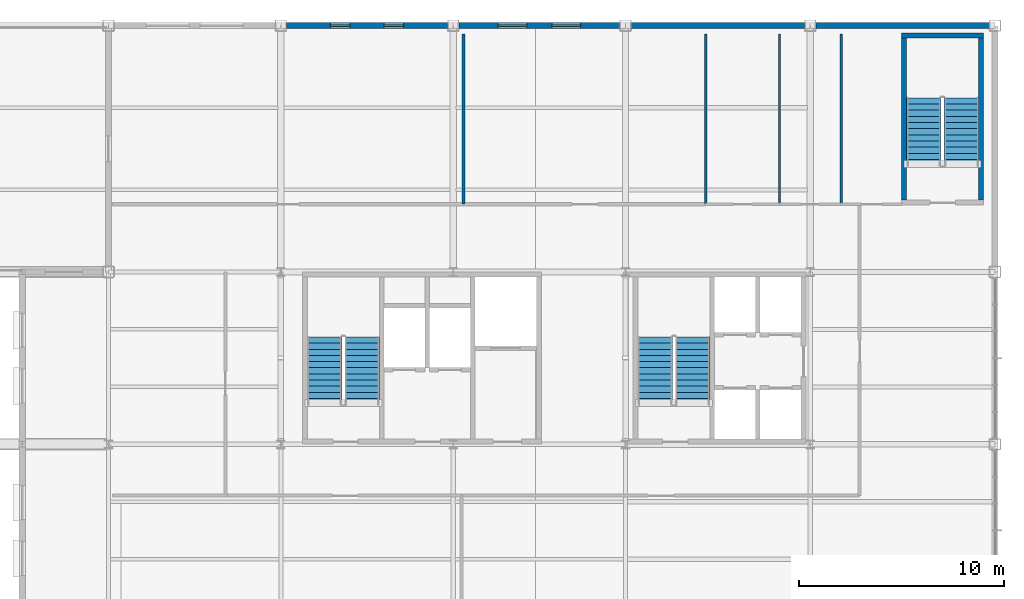
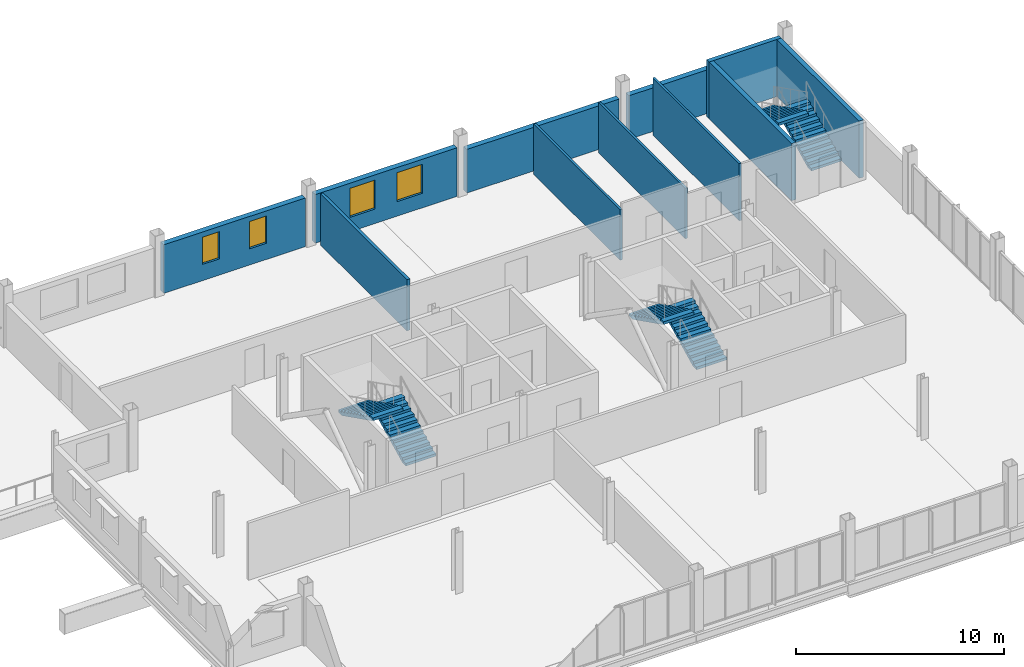
# One storey, part 15 of 18: 11 walls, 6 stair flights, 4 windows, 4 openings, 3 elements without a shape of their own.
"""IFC4 building model written with IfcOpenShell, lengths in metres."""

from ifc_helpers import new_model, si_unit, direction, frame, frame_2d, origin, place, context, subcontext, project, spatial, polyline, rectangle, outline, extrude, material, layer, layer_set, type_object, element, fill, aggregate, save


model = new_model("IFC4")

# Units and contexts
model_context = context("Model", 3, precision=1e-05, world=origin(), true_north=direction((0.0, 1.0)))
body_context = subcontext(model_context, "Body", "Model", "MODEL_VIEW")
ifc_project = project(units=[si_unit("LENGTHUNIT", "METRE"), si_unit("AREAUNIT", "SQUARE_METRE"), si_unit("VOLUMEUNIT", "CUBIC_METRE"), si_unit("PLANEANGLEUNIT", "RADIAN"), si_unit("MASSUNIT", "GRAM", prefix="KILO")], contexts=[model_context])

# Site, building, storey
site_placement = place(None, origin())
site = spatial("IfcSite", under=ifc_project, at=site_placement, CompositionType="ELEMENT")
building_placement = place(site_placement, origin())
building = spatial("IfcBuilding", under=site, at=building_placement, Name="Yukiwa Park Conservatory and Herbarium", CompositionType="ELEMENT")
storey_placement = place(building_placement, frame((0.0, 0.0, 21.0)))
storey = spatial("IfcBuildingStorey", under=building, at=storey_placement, Name="L05", CompositionType="ELEMENT", Elevation=21.0)

# Walls
ifc_material_1 = material(Name="Concrete C50", Category="concrete")
ifc_layer_1 = layer(ifc_material_1, 0.239990234375)
ifc_layer_set_1 = layer_set([ifc_layer_1], Name="Concrete C50")
wall_type_1 = type_object("IfcWallType", Name="WL-CORE-RC240", PredefinedType="SHEAR", material=ifc_layer_set_1)
wall_1_placement = place(storey_placement, frame((163.449951171875, 114.719970703125, 0.0), z_axis=(0.0, 0.0, 1.0), x_axis=(1.0, 0.0, 0.0)))
element("IfcWall", 1, at=wall_1_placement, inside=storey, type_object=wall_type_1, Name="L05 core shear wall 410", PredefinedType="SHEAR", context=body_context, shape_type="SweptSolid", body=[
    extrude(rectangle(XDim=3.989990234375, YDim=0.239990234375, at=frame_2d((1.9951171875, 0.0))), origin(), (0.0, 0.0, 1.0), 3.35009765625),
])
for number, where, z_axis, x_axis, name in (
    (2, (163.570068359375, 106.699951171875, 0.0), (0.0, 0.0, 1.0), (0.0, 1.0, 0.0), "L05 core shear wall 411"),
    (3, (167.320068359375, 106.699951171875, 0.0), (0.0, 0.0, 1.0), (0.0, 1.0, 0.0), "L05 core shear wall 412"),
):
    element("IfcWall", number, at=place(storey_placement, frame(where, z_axis=z_axis, x_axis=x_axis)), inside=storey, type_object=wall_type_1, Name=name, PredefinedType="SHEAR", context=body_context, shape_type="SweptSolid", body=[
        extrude(rectangle(XDim=7.900146484375, YDim=0.239990234375, at=frame_2d((3.9501953125, 0.0))), origin(), (0.0, 0.0, 1.0), 3.35009765625),
    ])
ifc_material_2 = material(Name="Pale Granite Cladding", Category="masonry")
ifc_layer_2 = layer(ifc_material_2, 0.300048828125)
ifc_layer_set_2 = layer_set([ifc_layer_2], Name="Pale Granite Cladding")
wall_type_2 = type_object("IfcWallType", Name="WL-EXT-GRAN-300", PredefinedType="SOLIDWALL", material=ifc_layer_set_2)
for number, where, z_axis, x_axis, name in (
    (4, (167.72509765625, 115.199951171875, 0.0), (0.0, 0.0, 1.0), (-1.0, 0.0, 0.0), "L05 exterior envelope wall 280"),
    (5, (158.72509765625, 115.199951171875, 0.0), (0.0, 0.0, 1.0), (-1.0, 0.0, 0.0), "L05 exterior envelope wall 281"),
):
    element("IfcWall", number, at=place(storey_placement, frame(where, z_axis=z_axis, x_axis=x_axis)), inside=storey, type_object=wall_type_2, Name=name, PredefinedType="SOLIDWALL", context=body_context, shape_type="SweptSolid", body=[
        extrude(rectangle(XDim=8.4501953125, YDim=0.300048828125, at=frame_2d((4.22509765625, 0.0))), origin(), (0.0, 0.0, 1.0), 2.55810546875),
    ])

# Wall, openings, windows
wall_2_placement = place(storey_placement, frame((149.72509765625, 115.199951171875, 0.0), z_axis=(0.0, 0.0, 1.0), x_axis=(-1.0, 0.0, 0.0)))
wall_2 = element("IfcWall", 6, at=wall_2_placement, inside=storey, type_object=wall_type_2, Name="L05 exterior envelope wall 282", PredefinedType="SOLIDWALL", context=body_context, shape_type="SweptSolid", body=[
    extrude(rectangle(XDim=7.85009765625, YDim=0.300048828125, at=frame_2d((3.925048828125, 0.0))), origin(), (0.0, 0.0, 1.0), 2.85009765625),
])
opening_1_placement = place(wall_2_placement, frame((1.9169921875, 0.0, 0.85009765625)))
opening_1 = element("IfcOpeningElement", 7, at=opening_1_placement, cuts=wall_2, Name="Opening W-23", PredefinedType="OPENING", context=body_context, shape_type="SweptSolid", body=[
    extrude(rectangle(XDim=1.39990234375, YDim=1.699951171875, at=frame_2d((0.699951171875, 0.85009765625))), frame((0.0, 0.16015625, 0.0), z_axis=(0.0, -1.0, 0.0), x_axis=(1.0, 0.0, 0.0)), (0.0, 0.0, 1.0), 0.320068359375),
])
opening_2_placement = place(wall_2_placement, frame((4.532958984375, 0.0, 0.85009765625)))
opening_2 = element("IfcOpeningElement", 8, at=opening_2_placement, cuts=wall_2, Name="Opening W-23", PredefinedType="OPENING", context=body_context, shape_type="SweptSolid", body=[
    extrude(rectangle(XDim=1.39990234375, YDim=1.699951171875, at=frame_2d((0.699951171875, 0.85009765625))), frame((0.0, 0.16015625, 0.0), z_axis=(0.0, -1.0, 0.0), x_axis=(1.0, 0.0, 0.0)), (0.0, 0.0, 1.0), 0.320068359375),
])
ifc_material_3 = material(Name="Triple Low-E Insulated Glass", Category="glass")
window_type_1 = type_object("IfcWindowType", Name="WN-TW-1400X2050", PartitioningType="SINGLE_PANEL", PredefinedType="WINDOW", material=ifc_material_3)
window_1_placement = place(opening_1_placement, origin())
window_1 = element("IfcWindow", 9, at=window_1_placement, inside=storey, type_object=window_type_1, Name="L05 deep-reveal triple-glazed window 222", OverallHeight=1.699951171875, OverallWidth=1.39990234375, PartitioningType="SINGLE_PANEL", PredefinedType="WINDOW", context=body_context, shape_type="SweptSolid", body=[
    extrude(rectangle(XDim=1.39990234375, YDim=1.699951171875, at=frame_2d((0.699951171875, 0.85009765625))), frame((0.0, 0.030029296875, 0.0), z_axis=(0.0, -1.0, 0.0), x_axis=(1.0, 0.0, 0.0)), (0.0, 0.0, 1.0), 0.06005859375),
])
fill(opening_1, window_1)
window_2_placement = place(opening_2_placement, origin())
window_2 = element("IfcWindow", 10, at=window_2_placement, inside=storey, type_object=window_type_1, Name="L05 deep-reveal triple-glazed window 223", OverallHeight=1.699951171875, OverallWidth=1.39990234375, PartitioningType="SINGLE_PANEL", PredefinedType="WINDOW", context=body_context, shape_type="SweptSolid", body=[
    extrude(rectangle(XDim=1.39990234375, YDim=1.699951171875, at=frame_2d((0.699951171875, 0.85009765625))), frame((0.0, 0.030029296875, 0.0), z_axis=(0.0, -1.0, 0.0), x_axis=(1.0, 0.0, 0.0)), (0.0, 0.0, 1.0), 0.06005859375),
])
fill(opening_2, window_2)

wall_3_placement = place(storey_placement, frame((141.324951171875, 115.199951171875, 0.0), z_axis=(0.0, 0.0, 1.0), x_axis=(-1.0, 0.0, 0.0)))
wall_3 = element("IfcWall", 11, at=wall_3_placement, inside=storey, type_object=wall_type_2, Name="L05 exterior envelope wall 283", PredefinedType="SOLIDWALL", context=body_context, shape_type="SweptSolid", body=[
    extrude(rectangle(XDim=7.849853515625, YDim=0.300048828125, at=frame_2d((3.9248046875, 0.0))), origin(), (0.0, 0.0, 1.0), 2.85009765625),
])
opening_3_placement = place(wall_3_placement, frame((2.14208984375, 0.0, 0.949951171875)))
opening_3 = element("IfcOpeningElement", 12, at=opening_3_placement, cuts=wall_3, Name="Opening W-21", PredefinedType="OPENING", context=body_context, shape_type="SweptSolid", body=[
    extrude(rectangle(XDim=0.949951171875, YDim=1.60009765625, at=frame_2d((0.47509765625, 0.800048828125))), frame((0.0, 0.16015625, 0.0), z_axis=(0.0, -1.0, 0.0), x_axis=(1.0, 0.0, 0.0)), (0.0, 0.0, 1.0), 0.320068359375),
])
opening_4_placement = place(wall_3_placement, frame((4.758056640625, 0.0, 0.949951171875)))
opening_4 = element("IfcOpeningElement", 13, at=opening_4_placement, cuts=wall_3, Name="Opening W-21", PredefinedType="OPENING", context=body_context, shape_type="SweptSolid", body=[
    extrude(rectangle(XDim=0.949951171875, YDim=1.60009765625, at=frame_2d((0.47509765625, 0.800048828125))), frame((0.0, 0.16015625, 0.0), z_axis=(0.0, -1.0, 0.0), x_axis=(1.0, 0.0, 0.0)), (0.0, 0.0, 1.0), 0.320068359375),
])
ifc_material_4 = material(Name="Triple Low-E Insulated Glass", Category="glass")
window_type_2 = type_object("IfcWindowType", Name="WN-TW-0950X1750", PartitioningType="SINGLE_PANEL", PredefinedType="WINDOW", material=ifc_material_4)
window_3_placement = place(opening_3_placement, origin())
window_3 = element("IfcWindow", 14, at=window_3_placement, inside=storey, type_object=window_type_2, Name="L05 deep-reveal triple-glazed window 224", OverallHeight=1.60009765625, OverallWidth=0.949951171875, PartitioningType="SINGLE_PANEL", PredefinedType="WINDOW", context=body_context, shape_type="SweptSolid", body=[
    extrude(rectangle(XDim=0.949951171875, YDim=1.60009765625, at=frame_2d((0.47509765625, 0.800048828125))), frame((0.0, 0.030029296875, 0.0), z_axis=(0.0, -1.0, 0.0), x_axis=(1.0, 0.0, 0.0)), (0.0, 0.0, 1.0), 0.06005859375),
])
fill(opening_3, window_3)
window_4_placement = place(opening_4_placement, origin())
window_4 = element("IfcWindow", 15, at=window_4_placement, inside=storey, type_object=window_type_2, Name="L05 deep-reveal triple-glazed window 225", OverallHeight=1.60009765625, OverallWidth=0.949951171875, PartitioningType="SINGLE_PANEL", PredefinedType="WINDOW", context=body_context, shape_type="SweptSolid", body=[
    extrude(rectangle(XDim=0.949951171875, YDim=1.60009765625, at=frame_2d((0.47509765625, 0.800048828125))), frame((0.0, 0.030029296875, 0.0), z_axis=(0.0, -1.0, 0.0), x_axis=(1.0, 0.0, 0.0)), (0.0, 0.0, 1.0), 0.06005859375),
])
fill(opening_4, window_4)

# Walls
ifc_material_5 = material(Name="Gypsum Board Partition", Category="gypsum")
ifc_layer_3 = layer(ifc_material_5, 0.159912109375)
ifc_layer_set_3 = layer_set([ifc_layer_3], Name="Gypsum Board Partition")
wall_type_3 = type_object("IfcWallType", Name="WL-PART-GYP-160", PredefinedType="PARTITIONING", material=ifc_layer_set_3)
wall_4_placement = place(storey_placement, frame((142.10009765625, 106.5, 0.0), z_axis=(0.0, 0.0, 1.0), x_axis=(0.0, 1.0, 0.0)))
element("IfcWall", 16, at=wall_4_placement, inside=storey, type_object=wall_type_3, Name="L05 interior partition wall 427", PredefinedType="PARTITIONING", context=body_context, shape_type="SweptSolid", body=[
    extrude(rectangle(XDim=8.300048828125, YDim=0.159912109375, at=frame_2d((4.14990234375, 0.0))), origin(), (0.0, 0.0, 1.0), 3.00390625),
])
ifc_material_6 = material(Name="Gypsum Board Partition", Category="gypsum")
ifc_layer_4 = layer(ifc_material_6, 0.1201171875)
ifc_layer_set_4 = layer_set([ifc_layer_4], Name="Gypsum Board Partition")
wall_type_4 = type_object("IfcWallType", Name="WL-PART-WET-150", PredefinedType="PARTITIONING", material=ifc_layer_set_4)
for number, where, z_axis, x_axis, name in (
    (17, (153.89990234375, 106.5, 0.0), (0.0, 0.0, 1.0), (0.0, 1.0, 0.0), "L05 interior partition wall 416"),
    (18, (157.5, 106.5, 0.0), (0.0, 0.0, 1.0), (0.0, 1.0, 0.0), "L05 interior partition wall 417"),
):
    element("IfcWall", number, at=place(storey_placement, frame(where, z_axis=z_axis, x_axis=x_axis)), inside=storey, type_object=wall_type_4, Name=name, PredefinedType="PARTITIONING", context=body_context, shape_type="SweptSolid", body=[
        extrude(rectangle(XDim=8.300048828125, YDim=0.1201171875, at=frame_2d((4.14990234375, 0.0))), origin(), (0.0, 0.0, 1.0), 2.9541015625),
    ])
wall_5_placement = place(storey_placement, frame((160.5, 106.5, 0.0), z_axis=(0.0, 0.0, 1.0), x_axis=(0.0, 1.0, 0.0)))
element("IfcWall", 19, at=wall_5_placement, inside=storey, type_object=wall_type_4, Name="L05 interior partition wall 418", PredefinedType="PARTITIONING", context=body_context, shape_type="SweptSolid", body=[
    extrude(rectangle(XDim=8.300048828125, YDim=0.1201171875, at=frame_2d((4.14990234375, 0.0))), origin(), (0.0, 0.0, 1.0), 3.35009765625),
])

# Stair, stair flights
ifc_material_7 = material(Name="Concrete C40", Category="concrete")
stair_type_1 = type_object("IfcStairType", Name="ST-DOGLEG-ST-T1", PredefinedType="HALF_TURN_STAIR", material=ifc_material_7)
stair_1_placement = place(storey_placement, origin())
stair_1 = element("IfcStair", 20, at=stair_1_placement, inside=storey, type_object=stair_type_1, Name="L05 Protected Smoke-Proof Stair ST-T1", PredefinedType="HALF_TURN_STAIR")
ifc_material_8 = material(Name="Concrete C40", Category="concrete")
stair_flight_type = type_object("IfcStairFlightType", Name="STF-RC-1680", PredefinedType="STRAIGHT", material=ifc_material_8)
stair_flight_1_placement = place(storey_placement, frame((137.159912109375, 96.72998046875, 0.0), z_axis=(0.0, 0.0, 1.0), x_axis=(0.0, 1.0, 0.0)))
stair_flight_1 = element("IfcStairFlight", 21, at=stair_flight_1_placement, type_object=stair_flight_type, Name="ST-T1 flight 1", NumberOfRisers=12, NumberOfTreads=11, PredefinedType="STRAIGHT", RiserHeight=0.15, TreadLength=0.3, context=body_context, shape_type="SweptSolid", body=[
    extrude(outline(polyline([(0.0, 0.0), (0.0, 0.14990234375), (0.300048828125, 0.14990234375), (0.300048828125, 0.300048828125), (0.60009765625, 0.300048828125), (0.60009765625, 0.449951171875), (0.89990234375, 0.449951171875), (0.89990234375, 0.60009765625), (1.199951171875, 0.60009765625), (1.199951171875, 0.75), (1.5, 0.75), (1.5, 0.89990234375), (1.800048828125, 0.89990234375), (1.800048828125, 1.050048828125), (2.10009765625, 1.050048828125), (2.10009765625, 1.199951171875), (2.39990234375, 1.199951171875), (2.39990234375, 1.35009765625), (2.699951171875, 1.35009765625), (2.699951171875, 1.5), (3.0, 1.5), (3.0, 1.64990234375), (3.300048828125, 1.64990234375), (3.300048828125, 1.800048828125), (3.300048828125, 1.482421875), (0.335205078125, 0.0), (0.0, 0.0)])), frame((0.0, 0.83984375, 0.0), z_axis=(0.0, -1.0, 0.0), x_axis=(1.0, 0.0, 0.0)), (0.0, 0.0, 1.0), 1.679931640625),
])
stair_flight_2_placement = place(storey_placement, frame((135.330078125, 100.030029296875, 1.800048828125), z_axis=(0.0, 0.0, 1.0), x_axis=(0.0, -1.0, 0.0)))
stair_flight_2 = element("IfcStairFlight", 22, at=stair_flight_2_placement, type_object=stair_flight_type, Name="ST-T1 flight 2", NumberOfRisers=12, NumberOfTreads=11, PredefinedType="STRAIGHT", RiserHeight=0.15, TreadLength=0.3, context=body_context, shape_type="SweptSolid", body=[
    extrude(outline(polyline([(0.0, 0.0), (0.0, 0.14990234375), (0.300048828125, 0.14990234375), (0.300048828125, 0.300048828125), (0.60009765625, 0.300048828125), (0.60009765625, 0.449951171875), (0.89990234375, 0.449951171875), (0.89990234375, 0.60009765625), (1.199951171875, 0.60009765625), (1.199951171875, 0.75), (1.5, 0.75), (1.5, 0.89990234375), (1.800048828125, 0.89990234375), (1.800048828125, 1.050048828125), (2.10009765625, 1.050048828125), (2.10009765625, 1.199951171875), (2.39990234375, 1.199951171875), (2.39990234375, 1.35009765625), (2.699951171875, 1.35009765625), (2.699951171875, 1.5), (3.0, 1.5), (3.0, 1.64990234375), (3.300048828125, 1.64990234375), (3.300048828125, 1.800048828125), (3.300048828125, 1.482421875), (0.335205078125, 0.0), (0.0, 0.0)])), frame((0.0, 0.83984375, 0.0), z_axis=(0.0, -1.0, 0.0), x_axis=(1.0, 0.0, 0.0)), (0.0, 0.0, 1.0), 1.679931640625),
])
aggregate(stair_1, [stair_flight_1, stair_flight_2])

ifc_material_9 = material(Name="Concrete C40", Category="concrete")
stair_type_2 = type_object("IfcStairType", Name="ST-DOGLEG-ST-T2", PredefinedType="HALF_TURN_STAIR", material=ifc_material_9)
stair_2_placement = place(storey_placement, origin())
stair_2 = element("IfcStair", 23, at=stair_2_placement, inside=storey, type_object=stair_type_2, Name="L05 Protected Smoke-Proof Stair ST-T2", PredefinedType="HALF_TURN_STAIR")
stair_flight_3_placement = place(storey_placement, frame((153.27001953125, 96.72998046875, 0.0), z_axis=(0.0, 0.0, 1.0), x_axis=(0.0, 1.0, 0.0)))
stair_flight_3 = element("IfcStairFlight", 24, at=stair_flight_3_placement, type_object=stair_flight_type, Name="ST-T2 flight 1", NumberOfRisers=12, NumberOfTreads=11, PredefinedType="STRAIGHT", RiserHeight=0.15, TreadLength=0.3, context=body_context, shape_type="SweptSolid", body=[
    extrude(outline(polyline([(0.0, 0.0), (0.0, 0.14990234375), (0.300048828125, 0.14990234375), (0.300048828125, 0.300048828125), (0.60009765625, 0.300048828125), (0.60009765625, 0.449951171875), (0.89990234375, 0.449951171875), (0.89990234375, 0.60009765625), (1.199951171875, 0.60009765625), (1.199951171875, 0.75), (1.5, 0.75), (1.5, 0.89990234375), (1.800048828125, 0.89990234375), (1.800048828125, 1.050048828125), (2.10009765625, 1.050048828125), (2.10009765625, 1.199951171875), (2.39990234375, 1.199951171875), (2.39990234375, 1.35009765625), (2.699951171875, 1.35009765625), (2.699951171875, 1.5), (3.0, 1.5), (3.0, 1.64990234375), (3.300048828125, 1.64990234375), (3.300048828125, 1.800048828125), (3.300048828125, 1.482421875), (0.335205078125, 0.0), (0.0, 0.0)])), frame((0.0, 0.83984375, 0.0), z_axis=(0.0, -1.0, 0.0), x_axis=(1.0, 0.0, 0.0)), (0.0, 0.0, 1.0), 1.679931640625),
])
stair_flight_4_placement = place(storey_placement, frame((151.43994140625, 100.030029296875, 1.800048828125), z_axis=(0.0, 0.0, 1.0), x_axis=(0.0, -1.0, 0.0)))
stair_flight_4 = element("IfcStairFlight", 25, at=stair_flight_4_placement, type_object=stair_flight_type, Name="ST-T2 flight 2", NumberOfRisers=12, NumberOfTreads=11, PredefinedType="STRAIGHT", RiserHeight=0.15, TreadLength=0.3, context=body_context, shape_type="SweptSolid", body=[
    extrude(outline(polyline([(0.0, 0.0), (0.0, 0.14990234375), (0.300048828125, 0.14990234375), (0.300048828125, 0.300048828125), (0.60009765625, 0.300048828125), (0.60009765625, 0.449951171875), (0.89990234375, 0.449951171875), (0.89990234375, 0.60009765625), (1.199951171875, 0.60009765625), (1.199951171875, 0.75), (1.5, 0.75), (1.5, 0.89990234375), (1.800048828125, 0.89990234375), (1.800048828125, 1.050048828125), (2.10009765625, 1.050048828125), (2.10009765625, 1.199951171875), (2.39990234375, 1.199951171875), (2.39990234375, 1.35009765625), (2.699951171875, 1.35009765625), (2.699951171875, 1.5), (3.0, 1.5), (3.0, 1.64990234375), (3.300048828125, 1.64990234375), (3.300048828125, 1.800048828125), (3.300048828125, 1.482421875), (0.335205078125, 0.0), (0.0, 0.0)])), frame((0.0, 0.83984375, 0.0), z_axis=(0.0, -1.0, 0.0), x_axis=(1.0, 0.0, 0.0)), (0.0, 0.0, 1.0), 1.679931640625),
])
aggregate(stair_2, [stair_flight_3, stair_flight_4])

ifc_material_10 = material(Name="Concrete C40", Category="concrete")
stair_type_3 = type_object("IfcStairType", Name="ST-DOGLEG-ST-T3", PredefinedType="HALF_TURN_STAIR", material=ifc_material_10)
stair_3_placement = place(storey_placement, origin())
stair_3 = element("IfcStair", 26, at=stair_3_placement, inside=storey, type_object=stair_type_3, Name="L05 Protected Smoke-Proof Stair ST-T3", PredefinedType="HALF_TURN_STAIR")
stair_flight_5_placement = place(storey_placement, frame((166.360107421875, 108.3798828125, 0.0), z_axis=(0.0, 0.0, 1.0), x_axis=(0.0, 1.0, 0.0)))
stair_flight_5 = element("IfcStairFlight", 27, at=stair_flight_5_placement, type_object=stair_flight_type, Name="ST-T3 flight 1", NumberOfRisers=12, NumberOfTreads=11, PredefinedType="STRAIGHT", RiserHeight=0.15, TreadLength=0.3, context=body_context, shape_type="SweptSolid", body=[
    extrude(outline(polyline([(0.0, 0.0), (0.0, 0.14990234375), (0.300048828125, 0.14990234375), (0.300048828125, 0.300048828125), (0.60009765625, 0.300048828125), (0.60009765625, 0.449951171875), (0.89990234375, 0.449951171875), (0.89990234375, 0.60009765625), (1.199951171875, 0.60009765625), (1.199951171875, 0.75), (1.5, 0.75), (1.5, 0.89990234375), (1.800048828125, 0.89990234375), (1.800048828125, 1.050048828125), (2.10009765625, 1.050048828125), (2.10009765625, 1.199951171875), (2.39990234375, 1.199951171875), (2.39990234375, 1.35009765625), (2.699951171875, 1.35009765625), (2.699951171875, 1.5), (3.0, 1.5), (3.0, 1.64990234375), (3.300048828125, 1.64990234375), (3.300048828125, 1.800048828125), (3.300048828125, 1.482421875), (0.335205078125, 0.0), (0.0, 0.0)])), frame((0.0, 0.83984375, 0.0), z_axis=(0.0, -1.0, 0.0), x_axis=(1.0, 0.0, 0.0)), (0.0, 0.0, 1.0), 1.679931640625),
])
stair_flight_6_placement = place(storey_placement, frame((164.530029296875, 111.679931640625, 1.800048828125), z_axis=(0.0, 0.0, 1.0), x_axis=(0.0, -1.0, 0.0)))
stair_flight_6 = element("IfcStairFlight", 28, at=stair_flight_6_placement, type_object=stair_flight_type, Name="ST-T3 flight 2", NumberOfRisers=12, NumberOfTreads=11, PredefinedType="STRAIGHT", RiserHeight=0.15, TreadLength=0.3, context=body_context, shape_type="SweptSolid", body=[
    extrude(outline(polyline([(0.0, 0.0), (0.0, 0.14990234375), (0.300048828125, 0.14990234375), (0.300048828125, 0.300048828125), (0.60009765625, 0.300048828125), (0.60009765625, 0.449951171875), (0.89990234375, 0.449951171875), (0.89990234375, 0.60009765625), (1.199951171875, 0.60009765625), (1.199951171875, 0.75), (1.5, 0.75), (1.5, 0.89990234375), (1.800048828125, 0.89990234375), (1.800048828125, 1.050048828125), (2.10009765625, 1.050048828125), (2.10009765625, 1.199951171875), (2.39990234375, 1.199951171875), (2.39990234375, 1.35009765625), (2.699951171875, 1.35009765625), (2.699951171875, 1.5), (3.0, 1.5), (3.0, 1.64990234375), (3.300048828125, 1.64990234375), (3.300048828125, 1.800048828125), (3.300048828125, 1.482421875), (0.335205078125, 0.0), (0.0, 0.0)])), frame((0.0, 0.83984375, 0.0), z_axis=(0.0, -1.0, 0.0), x_axis=(1.0, 0.0, 0.0)), (0.0, 0.0, 1.0), 1.679931640625),
])
aggregate(stair_3, [stair_flight_5, stair_flight_6])

save(model, "model.ifc")
